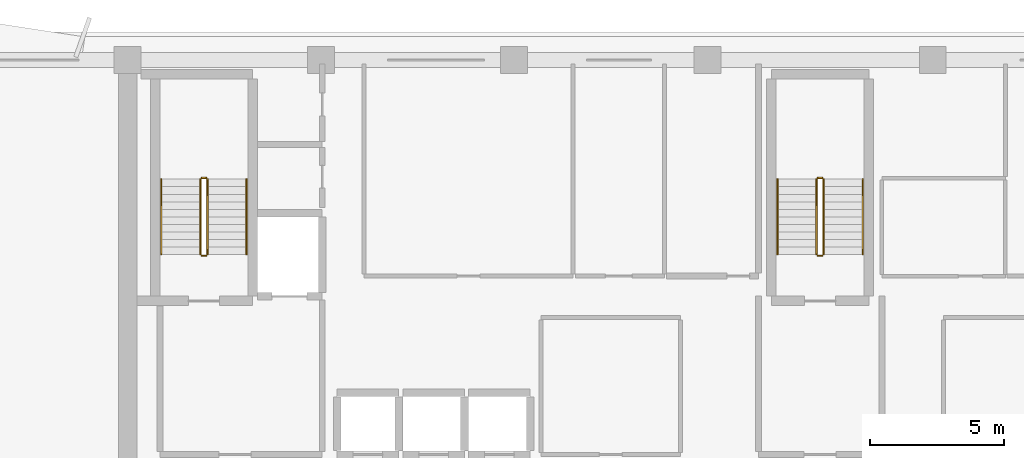
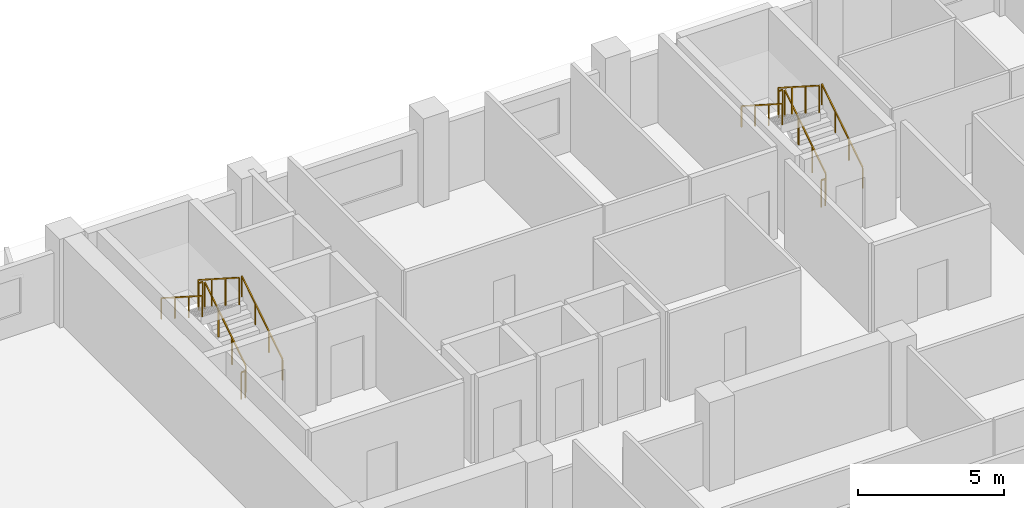
# One storey, part 9 of 10: 12 railings.
"""IFC4 building model written with IfcOpenShell, lengths in metres."""

from ifc_helpers import new_model, si_unit, direction, frame, origin, origin_2d, place, context, subcontext, project, spatial, rectangle, extrude, material, type_object, element, save


model = new_model("IFC4")

# Units and contexts
model_context = context("Model", 3, precision=1e-05, world=origin(), true_north=direction((0.0, 1.0)))
body_context = subcontext(model_context, "Body", "Model", "MODEL_VIEW")
ifc_project = project(units=[si_unit("LENGTHUNIT", "METRE"), si_unit("AREAUNIT", "SQUARE_METRE"), si_unit("VOLUMEUNIT", "CUBIC_METRE"), si_unit("PLANEANGLEUNIT", "RADIAN"), si_unit("MASSUNIT", "GRAM", prefix="KILO")], contexts=[model_context])

# Site, building, storey
site_placement = place(None, origin())
site = spatial("IfcSite", under=ifc_project, at=site_placement, CompositionType="ELEMENT")
building_placement = place(site_placement, origin())
building = spatial("IfcBuilding", under=site, at=building_placement, Name="Kaelvorn Grand Hotel", CompositionType="ELEMENT")
storey_placement = place(building_placement, frame((0.0, 0.0, 264.699951171875)))
storey = spatial("IfcBuildingStorey", under=building, at=storey_placement, Name="L65", CompositionType="ELEMENT", Elevation=264.699951171875)

# Railings
ifc_material = material(Name="Stainless Steel", Category="steel")
railing_type_1 = type_object("IfcRailingType", Name="RL-HANDRAIL-900", PredefinedType="HANDRAIL", material=ifc_material)
railing_1_placement = place(storey_placement, frame((20.6298828125, 41.760009765625, 0.1796875)))
element("IfcRailing", 1, at=railing_1_placement, inside=storey, type_object=railing_type_1, Name="L65 ST1 stair handrail 1", PredefinedType="HANDRAIL", context=body_context, shape_type="SweptSolid", body=[
    extrude(rectangle(XDim=0.048095703125, YDim=0.048095703125, at=origin_2d()), frame((0.0, 0.0, 0.8759765625), z_axis=(0.0, 0.841809871826, 0.539774156196), x_axis=(-1.0, 0.0, 0.0)), (0.0, 0.0, 1.0), 3.326171875),
    extrude(rectangle(XDim=0.0419921875, YDim=0.0419921875, at=origin_2d()), origin(), (0.0, 0.0, 1.0), 0.851806640625),
    extrude(rectangle(XDim=0.0419921875, YDim=0.0419921875, at=origin_2d()), frame((0.0, 0.933349609375, 0.598388671875)), (0.0, 0.0, 1.0), 0.851806640625),
    extrude(rectangle(XDim=0.0419921875, YDim=0.0419921875, at=origin_2d()), frame((0.0, 1.86669921875, 1.197021484375)), (0.0, 0.0, 1.0), 0.851806640625),
    extrude(rectangle(XDim=0.0419921875, YDim=0.0419921875, at=origin_2d()), frame((0.0, 2.800048828125, 1.79541015625)), (0.0, 0.0, 1.0), 0.851806640625),
])
railing_2_placement = place(storey_placement, frame((17.449951171875, 44.56005859375, 2.154541015625)))
element("IfcRailing", 2, at=railing_2_placement, inside=storey, type_object=railing_type_1, Name="L65 ST1 stair handrail 2", PredefinedType="HANDRAIL", context=body_context, shape_type="SweptSolid", body=[
    extrude(rectangle(XDim=0.048095703125, YDim=0.048095703125, at=origin_2d()), frame((0.0, 0.0, 0.8759765625), z_axis=(0.0, -0.841809871826, 0.539774156196), x_axis=(1.0, 0.0, 0.0)), (0.0, 0.0, 1.0), 3.326171875),
    extrude(rectangle(XDim=0.0419921875, YDim=0.0419921875, at=origin_2d()), origin(), (0.0, 0.0, 1.0), 0.851806640625),
    extrude(rectangle(XDim=0.0419921875, YDim=0.0419921875, at=origin_2d()), frame((0.0, -0.933349609375, 0.598388671875)), (0.0, 0.0, 1.0), 0.851806640625),
    extrude(rectangle(XDim=0.0419921875, YDim=0.0419921875, at=origin_2d()), frame((0.0, -1.86669921875, 1.197021484375)), (0.0, 0.0, 1.0), 0.851806640625),
    extrude(rectangle(XDim=0.0419921875, YDim=0.0419921875, at=origin_2d()), frame((0.0, -2.800048828125, 1.79541015625)), (0.0, 0.0, 1.0), 0.851806640625),
])
railing_3_placement = place(storey_placement, frame((43.590087890625, 41.760009765625, 0.1796875)))
element("IfcRailing", 3, at=railing_3_placement, inside=storey, type_object=railing_type_1, Name="L65 ST2 stair handrail 1", PredefinedType="HANDRAIL", context=body_context, shape_type="SweptSolid", body=[
    extrude(rectangle(XDim=0.048095703125, YDim=0.048095703125, at=origin_2d()), frame((0.0, 0.0, 0.8759765625), z_axis=(0.0, 0.841809871826, 0.539774156196), x_axis=(-1.0, 0.0, 0.0)), (0.0, 0.0, 1.0), 3.326171875),
    extrude(rectangle(XDim=0.0419921875, YDim=0.0419921875, at=origin_2d()), origin(), (0.0, 0.0, 1.0), 0.851806640625),
    extrude(rectangle(XDim=0.0419921875, YDim=0.0419921875, at=origin_2d()), frame((0.0, 0.933349609375, 0.598388671875)), (0.0, 0.0, 1.0), 0.851806640625),
    extrude(rectangle(XDim=0.0419921875, YDim=0.0419921875, at=origin_2d()), frame((0.0, 1.86669921875, 1.197021484375)), (0.0, 0.0, 1.0), 0.851806640625),
    extrude(rectangle(XDim=0.0419921875, YDim=0.0419921875, at=origin_2d()), frame((0.0, 2.800048828125, 1.79541015625)), (0.0, 0.0, 1.0), 0.851806640625),
])
railing_4_placement = place(storey_placement, frame((40.409912109375, 44.56005859375, 2.154541015625)))
element("IfcRailing", 4, at=railing_4_placement, inside=storey, type_object=railing_type_1, Name="L65 ST2 stair handrail 2", PredefinedType="HANDRAIL", context=body_context, shape_type="SweptSolid", body=[
    extrude(rectangle(XDim=0.048095703125, YDim=0.048095703125, at=origin_2d()), frame((0.0, 0.0, 0.8759765625), z_axis=(0.0, -0.841809871826, 0.539774156196), x_axis=(1.0, 0.0, 0.0)), (0.0, 0.0, 1.0), 3.326171875),
    extrude(rectangle(XDim=0.0419921875, YDim=0.0419921875, at=origin_2d()), origin(), (0.0, 0.0, 1.0), 0.851806640625),
    extrude(rectangle(XDim=0.0419921875, YDim=0.0419921875, at=origin_2d()), frame((0.0, -0.933349609375, 0.598388671875)), (0.0, 0.0, 1.0), 0.851806640625),
    extrude(rectangle(XDim=0.0419921875, YDim=0.0419921875, at=origin_2d()), frame((0.0, -1.86669921875, 1.197021484375)), (0.0, 0.0, 1.0), 0.851806640625),
    extrude(rectangle(XDim=0.0419921875, YDim=0.0419921875, at=origin_2d()), frame((0.0, -2.800048828125, 1.79541015625)), (0.0, 0.0, 1.0), 0.851806640625),
])
railing_type_2 = type_object("IfcRailingType", Name="RL-STAIR-GUARD-1150", PredefinedType="BALUSTRADE", material=ifc_material)
railing_5_placement = place(storey_placement, frame((19.169921875, 41.760009765625, 0.1796875)))
element("IfcRailing", 5, at=railing_5_placement, inside=storey, type_object=railing_type_2, Name="L65 ST1 stair guard 1", PredefinedType="BALUSTRADE", context=body_context, shape_type="SweptSolid", body=[
    extrude(rectangle(XDim=0.048095703125, YDim=0.048095703125, at=origin_2d()), frame((0.0, 0.0, 1.1259765625), z_axis=(0.0, 0.841809871826, 0.539774156196), x_axis=(-1.0, 0.0, 0.0)), (0.0, 0.0, 1.0), 3.326171875),
    extrude(rectangle(XDim=0.0419921875, YDim=0.0419921875, at=origin_2d()), origin(), (0.0, 0.0, 1.0), 1.101806640625),
    extrude(rectangle(XDim=0.0419921875, YDim=0.0419921875, at=origin_2d()), frame((0.0, 0.933349609375, 0.598388671875)), (0.0, 0.0, 1.0), 1.101806640625),
    extrude(rectangle(XDim=0.0419921875, YDim=0.0419921875, at=origin_2d()), frame((0.0, 1.86669921875, 1.197021484375)), (0.0, 0.0, 1.0), 1.101806640625),
    extrude(rectangle(XDim=0.0419921875, YDim=0.0419921875, at=origin_2d()), frame((0.0, 2.800048828125, 1.79541015625)), (0.0, 0.0, 1.0), 1.101806640625),
])
railing_6_placement = place(storey_placement, frame((19.1201171875, 44.610107421875, 1.97509765625)))
element("IfcRailing", 6, at=railing_6_placement, inside=storey, type_object=railing_type_2, Name="L65 ST1 stair guard 2", PredefinedType="BALUSTRADE", context=body_context, shape_type="SweptSolid", body=[
    extrude(rectangle(XDim=0.048095703125, YDim=0.048095703125, at=origin_2d()), frame((0.0, 0.0, 1.1259765625), z_axis=(-1.0, 0.0, 0.0), x_axis=(0.0, -1.0, 0.0)), (0.0, 0.0, 1.0), 0.16015625),
    extrude(rectangle(XDim=0.0419921875, YDim=0.0419921875, at=origin_2d()), origin(), (0.0, 0.0, 1.0), 1.101806640625),
    extrude(rectangle(XDim=0.0419921875, YDim=0.0419921875, at=origin_2d()), frame((-0.16015625, 0.0, 0.0)), (0.0, 0.0, 1.0), 1.101806640625),
])
railing_7_placement = place(storey_placement, frame((18.909912109375, 44.56005859375, 2.154541015625)))
element("IfcRailing", 7, at=railing_7_placement, inside=storey, type_object=railing_type_2, Name="L65 ST1 stair guard 3", PredefinedType="BALUSTRADE", context=body_context, shape_type="SweptSolid", body=[
    extrude(rectangle(XDim=0.048095703125, YDim=0.048095703125, at=origin_2d()), frame((0.0, 0.0, 1.1259765625), z_axis=(0.0, -0.841809871826, 0.539774156196), x_axis=(1.0, 0.0, 0.0)), (0.0, 0.0, 1.0), 3.326171875),
    extrude(rectangle(XDim=0.0419921875, YDim=0.0419921875, at=origin_2d()), origin(), (0.0, 0.0, 1.0), 1.101806640625),
    extrude(rectangle(XDim=0.0419921875, YDim=0.0419921875, at=origin_2d()), frame((0.0, -0.933349609375, 0.598388671875)), (0.0, 0.0, 1.0), 1.101806640625),
    extrude(rectangle(XDim=0.0419921875, YDim=0.0419921875, at=origin_2d()), frame((0.0, -1.86669921875, 1.197021484375)), (0.0, 0.0, 1.0), 1.101806640625),
    extrude(rectangle(XDim=0.0419921875, YDim=0.0419921875, at=origin_2d()), frame((0.0, -2.800048828125, 1.79541015625)), (0.0, 0.0, 1.0), 1.101806640625),
])
railing_8_placement = place(storey_placement, frame((19.1201171875, 41.7099609375, 0.0)))
element("IfcRailing", 8, at=railing_8_placement, inside=storey, type_object=railing_type_2, Name="L65 ST1 stair guard 4", PredefinedType="BALUSTRADE", context=body_context, shape_type="SweptSolid", body=[
    extrude(rectangle(XDim=0.048095703125, YDim=0.048095703125, at=origin_2d()), frame((0.0, 0.0, 1.1259765625), z_axis=(-1.0, 0.0, 0.0), x_axis=(0.0, -1.0, 0.0)), (0.0, 0.0, 1.0), 0.16015625),
    extrude(rectangle(XDim=0.0419921875, YDim=0.0419921875, at=origin_2d()), origin(), (0.0, 0.0, 1.0), 1.101806640625),
    extrude(rectangle(XDim=0.0419921875, YDim=0.0419921875, at=origin_2d()), frame((-0.16015625, 0.0, 0.0)), (0.0, 0.0, 1.0), 1.101806640625),
])
railing_9_placement = place(storey_placement, frame((42.1298828125, 41.760009765625, 0.1796875)))
element("IfcRailing", 9, at=railing_9_placement, inside=storey, type_object=railing_type_2, Name="L65 ST2 stair guard 1", PredefinedType="BALUSTRADE", context=body_context, shape_type="SweptSolid", body=[
    extrude(rectangle(XDim=0.048095703125, YDim=0.048095703125, at=origin_2d()), frame((0.0, 0.0, 1.1259765625), z_axis=(0.0, 0.841809871826, 0.539774156196), x_axis=(-1.0, 0.0, 0.0)), (0.0, 0.0, 1.0), 3.326171875),
    extrude(rectangle(XDim=0.0419921875, YDim=0.0419921875, at=origin_2d()), origin(), (0.0, 0.0, 1.0), 1.101806640625),
    extrude(rectangle(XDim=0.0419921875, YDim=0.0419921875, at=origin_2d()), frame((0.0, 0.933349609375, 0.598388671875)), (0.0, 0.0, 1.0), 1.101806640625),
    extrude(rectangle(XDim=0.0419921875, YDim=0.0419921875, at=origin_2d()), frame((0.0, 1.86669921875, 1.197021484375)), (0.0, 0.0, 1.0), 1.101806640625),
    extrude(rectangle(XDim=0.0419921875, YDim=0.0419921875, at=origin_2d()), frame((0.0, 2.800048828125, 1.79541015625)), (0.0, 0.0, 1.0), 1.101806640625),
])
railing_10_placement = place(storey_placement, frame((42.080078125, 44.610107421875, 1.97509765625)))
element("IfcRailing", 10, at=railing_10_placement, inside=storey, type_object=railing_type_2, Name="L65 ST2 stair guard 2", PredefinedType="BALUSTRADE", context=body_context, shape_type="SweptSolid", body=[
    extrude(rectangle(XDim=0.048095703125, YDim=0.048095703125, at=origin_2d()), frame((0.0, 0.0, 1.1259765625), z_axis=(-1.0, 0.0, 0.0), x_axis=(0.0, -1.0, 0.0)), (0.0, 0.0, 1.0), 0.16015625),
    extrude(rectangle(XDim=0.0419921875, YDim=0.0419921875, at=origin_2d()), origin(), (0.0, 0.0, 1.0), 1.101806640625),
    extrude(rectangle(XDim=0.0419921875, YDim=0.0419921875, at=origin_2d()), frame((-0.16015625, 0.0, 0.0)), (0.0, 0.0, 1.0), 1.101806640625),
])
railing_11_placement = place(storey_placement, frame((41.8701171875, 44.56005859375, 2.154541015625)))
element("IfcRailing", 11, at=railing_11_placement, inside=storey, type_object=railing_type_2, Name="L65 ST2 stair guard 3", PredefinedType="BALUSTRADE", context=body_context, shape_type="SweptSolid", body=[
    extrude(rectangle(XDim=0.048095703125, YDim=0.048095703125, at=origin_2d()), frame((0.0, 0.0, 1.1259765625), z_axis=(0.0, -0.841809871826, 0.539774156196), x_axis=(1.0, 0.0, 0.0)), (0.0, 0.0, 1.0), 3.326171875),
    extrude(rectangle(XDim=0.0419921875, YDim=0.0419921875, at=origin_2d()), origin(), (0.0, 0.0, 1.0), 1.101806640625),
    extrude(rectangle(XDim=0.0419921875, YDim=0.0419921875, at=origin_2d()), frame((0.0, -0.933349609375, 0.598388671875)), (0.0, 0.0, 1.0), 1.101806640625),
    extrude(rectangle(XDim=0.0419921875, YDim=0.0419921875, at=origin_2d()), frame((0.0, -1.86669921875, 1.197021484375)), (0.0, 0.0, 1.0), 1.101806640625),
    extrude(rectangle(XDim=0.0419921875, YDim=0.0419921875, at=origin_2d()), frame((0.0, -2.800048828125, 1.79541015625)), (0.0, 0.0, 1.0), 1.101806640625),
])
railing_12_placement = place(storey_placement, frame((42.080078125, 41.7099609375, 0.0)))
element("IfcRailing", 12, at=railing_12_placement, inside=storey, type_object=railing_type_2, Name="L65 ST2 stair guard 4", PredefinedType="BALUSTRADE", context=body_context, shape_type="SweptSolid", body=[
    extrude(rectangle(XDim=0.048095703125, YDim=0.048095703125, at=origin_2d()), frame((0.0, 0.0, 1.1259765625), z_axis=(-1.0, 0.0, 0.0), x_axis=(0.0, -1.0, 0.0)), (0.0, 0.0, 1.0), 0.16015625),
    extrude(rectangle(XDim=0.0419921875, YDim=0.0419921875, at=origin_2d()), origin(), (0.0, 0.0, 1.0), 1.101806640625),
    extrude(rectangle(XDim=0.0419921875, YDim=0.0419921875, at=origin_2d()), frame((-0.16015625, 0.0, 0.0)), (0.0, 0.0, 1.0), 1.101806640625),
])

save(model, "model.ifc")
